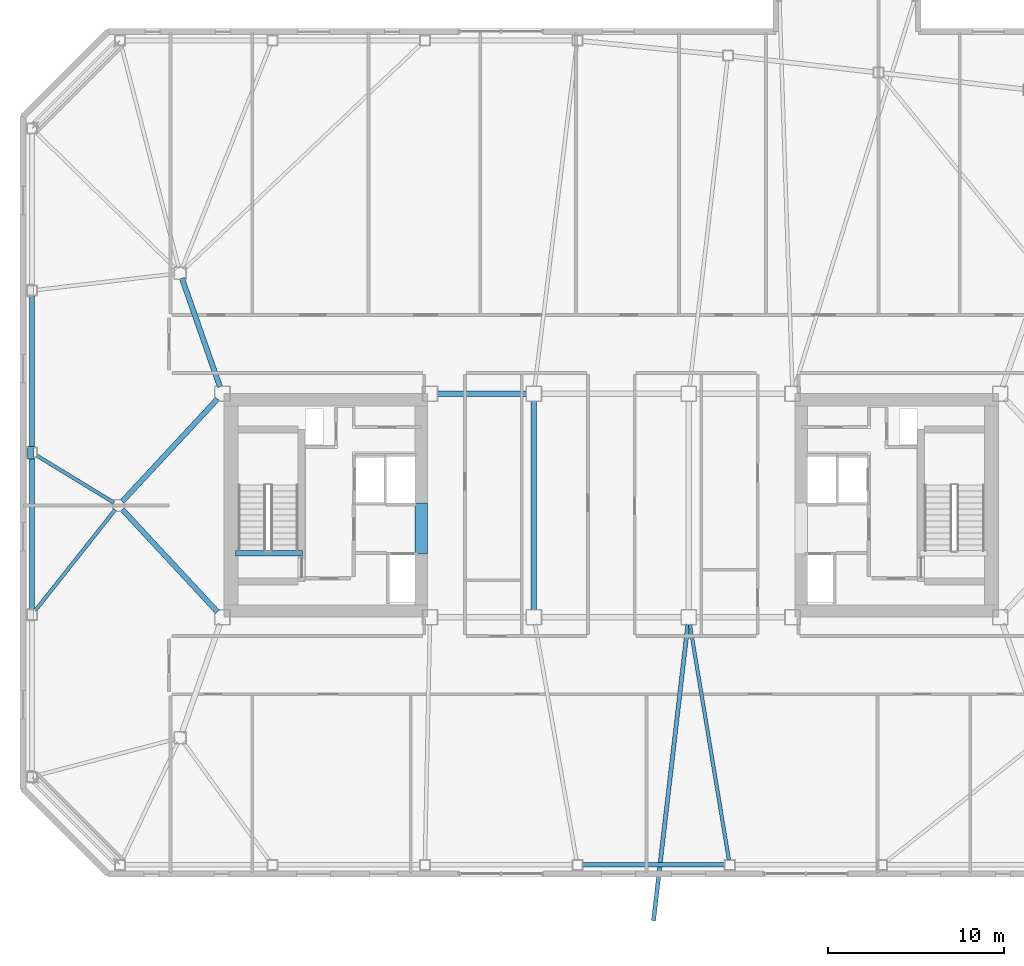
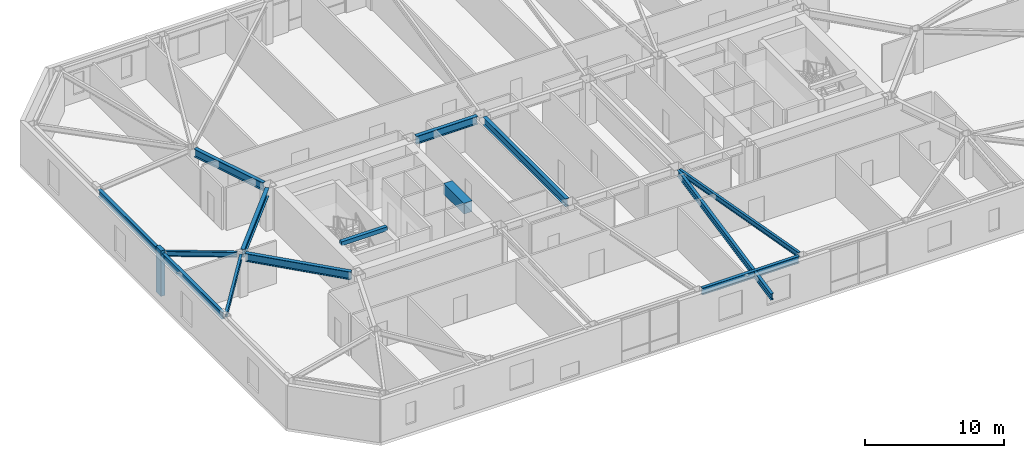
# One storey, part 5 of 18: 14 beams, 1 member.
"""IFC4 building model written with IfcOpenShell, lengths in metres."""

from ifc_helpers import new_model, si_unit, direction, frame, origin, origin_2d, place, context, subcontext, project, spatial, rectangle, i_section, extrude, material, material_profile, profile_set, type_object, element, save


model = new_model("IFC4")

# Units and contexts
model_context = context("Model", 3, precision=1e-05, world=origin(), true_north=direction((0.0, 1.0)))
body_context = subcontext(model_context, "Body", "Model", "MODEL_VIEW")
ifc_project = project(units=[si_unit("LENGTHUNIT", "METRE"), si_unit("AREAUNIT", "SQUARE_METRE"), si_unit("VOLUMEUNIT", "CUBIC_METRE"), si_unit("PLANEANGLEUNIT", "RADIAN"), si_unit("MASSUNIT", "GRAM", prefix="KILO")], contexts=[model_context])

# Site, building, storey
site_placement = place(None, origin())
site = spatial("IfcSite", under=ifc_project, at=site_placement, CompositionType="ELEMENT")
building_placement = place(site_placement, origin())
building = spatial("IfcBuilding", under=site, at=building_placement, Name="Tavrogorsk Clinical Tower", CompositionType="ELEMENT")
storey_placement = place(building_placement, frame((0.0, 0.0, 184.199951171875)))
storey = spatial("IfcBuildingStorey", under=building, at=storey_placement, Name="L42", CompositionType="ELEMENT", Elevation=184.199951171875)

# Beams
ifc_material_1 = material(Name="Concrete B80", Category="concrete")
ifc_material_profile_1 = material_profile(ifc_material_1, rectangle(XDim=0.699951171875, YDim=0.949951171875, at=origin_2d()), Name="RC-CB-700x950")
ifc_profile_set_1 = profile_set([ifc_material_profile_1], Name="Concrete B80")
beam_type_1 = type_object("IfcBeamType", Name="CouplingBeam_RC700x950", PredefinedType="LINTEL", material=ifc_profile_set_1)
beam_1_placement = place(storey_placement, frame((-10.800048828125, -2.75, 3.26513671875), z_axis=(0.0, 1.0, 0.0), x_axis=(-1.0, 0.0, 0.0)))
element("IfcBeam", 1, at=beam_1_placement, inside=storey, type_object=beam_type_1, Name="L42 Core West Coupling Beam", PredefinedType="LINTEL", context=body_context, shape_type="SweptSolid", body=[
    extrude(rectangle(XDim=0.699951171875, YDim=0.949951171875, at=origin_2d()), origin(), (0.0, 0.0, 1.0), 2.89990234375),
])
ifc_material_2 = material(Name="Structural steel S355", Category="steel")
ifc_material_profile_2 = material_profile(ifc_material_2, i_section(OverallWidth=0.199951171875, OverallDepth=0.449951171875, WebThickness=0.011474609375, FlangeThickness=0.01806640625, at=origin_2d()), Name="B-450x200x11.5x18")
ifc_profile_set_2 = profile_set([ifc_material_profile_2], Name="Structural steel S355")
beam_type_2 = type_object("IfcBeamType", Name="FloorBeam_B450", PredefinedType="BEAM", material=ifc_profile_set_2)
beam_2_placement = place(storey_placement, frame((4.467041015625, -6.75439453125, 3.51513671875), z_axis=(0.16347521907, -0.986547440699, 0.0), x_axis=(0.986547440699, 0.16347521907, 0.0)))
element("IfcBeam", 2, at=beam_2_placement, inside=storey, type_object=beam_type_2, Name="L42 Radial Floor Beam S5", PredefinedType="BEAM", context=body_context, shape_type="SweptSolid", body=[
    extrude(i_section(OverallWidth=0.199951171875, OverallDepth=0.449951171875, WebThickness=0.011474609375, FlangeThickness=0.01806640625, at=origin_2d()), origin(), (0.0, 0.0, 1.0), 13.5439453125),
])
beam_3_placement = place(storey_placement, frame((-28.2646484375, 0.161376953125, 3.51513671875), z_axis=(-0.853798748257, 0.520603205402, 0.0), x_axis=(-0.520603205402, -0.853798748257, 0.0)))
element("IfcBeam", 3, at=beam_3_placement, inside=storey, type_object=beam_type_2, Name="L42 Radial Floor Beam W3", PredefinedType="BEAM", context=body_context, shape_type="SweptSolid", body=[
    extrude(i_section(OverallWidth=0.199951171875, OverallDepth=0.449951171875, WebThickness=0.011474609375, FlangeThickness=0.01806640625, at=origin_2d()), origin(), (0.0, 0.0, 1.0), 5.14453125),
])
beam_4_placement = place(storey_placement, frame((-28.192626953125, -0.242919921875, 3.51513671875), z_axis=(-0.620987118336, -0.783820769603, 0.0), x_axis=(0.783820769603, -0.620987118336, 0.0)))
element("IfcBeam", 4, at=beam_4_placement, inside=storey, type_object=beam_type_2, Name="L42 Radial Floor Beam W4", PredefinedType="BEAM", context=body_context, shape_type="SweptSolid", body=[
    extrude(i_section(OverallWidth=0.199951171875, OverallDepth=0.449951171875, WebThickness=0.011474609375, FlangeThickness=0.01806640625, at=origin_2d()), origin(), (0.0, 0.0, 1.0), 7.3046875),
])

# Member
ifc_material_3 = material(Name="Precast concrete B45 with limestone cladding", Category="masonry")
ifc_material_profile_3 = material_profile(ifc_material_3, rectangle(XDim=0.320068359375, YDim=0.719970703125, at=origin_2d()), Name="LIMESTONE-FIN-320x720")
ifc_profile_set_3 = profile_set([ifc_material_profile_3], Name="Precast concrete B45 with limestone cladding")
member_type = type_object("IfcMemberType", Name="LimestonePleatFin_320x720", PredefinedType="USERDEFINED", material=ifc_profile_set_3)
member_placement = place(storey_placement, frame((-33.0, 3.0, 0.0), z_axis=(0.0, 0.0, 1.0), x_axis=(1.0, 0.0, 0.0)))
element("IfcMember", 5, at=member_placement, inside=storey, type_object=member_type, Name="L42 W Pleated Stone Fin 2", ObjectType="FIN", PredefinedType="USERDEFINED", context=body_context, shape_type="SweptSolid", body=[
    extrude(rectangle(XDim=0.320068359375, YDim=0.719970703125, at=origin_2d()), origin(), (0.0, 0.0, 1.0), 4.0),
])

# Beams
ifc_material_4 = material(Name="Structural steel S390", Category="steel")
ifc_material_profile_4 = material_profile(ifc_material_4, i_section(OverallWidth=0.300048828125, OverallDepth=0.699951171875, WebThickness=0.01708984375, FlangeThickness=0.028076171875, at=origin_2d()), Name="B-700x300x17x28")
ifc_profile_set_4 = profile_set([ifc_material_profile_4], Name="Structural steel S390")
beam_type_3 = type_object("IfcBeamType", Name="PrimaryGirder_B700", PredefinedType="USERDEFINED", material=ifc_profile_set_4)
beam_5_placement = place(storey_placement, frame((-9.889892578125, 6.35009765625, 3.39013671875), z_axis=(1.0, 0.0, 0.0), x_axis=(0.0, 1.0, 0.0)))
element("IfcBeam", 6, at=beam_5_placement, inside=storey, type_object=beam_type_3, Name="L42 Primary Spine Girder MG-02", ObjectType="GIRDER", PredefinedType="USERDEFINED", context=body_context, shape_type="SweptSolid", body=[
    extrude(i_section(OverallWidth=0.300048828125, OverallDepth=0.699951171875, WebThickness=0.01708984375, FlangeThickness=0.028076171875, at=origin_2d()), origin(), (0.0, 0.0, 1.0), 5.079833984375),
])
beam_6_placement = place(storey_placement, frame((-4.39990234375, -5.93994140625, 3.39013671875), z_axis=(0.0, 1.0, 0.0), x_axis=(-1.0, 0.0, 0.0)))
element("IfcBeam", 7, at=beam_6_placement, inside=storey, type_object=beam_type_3, Name="L42 Primary Spine Girder MG-07", ObjectType="GIRDER", PredefinedType="USERDEFINED", context=body_context, shape_type="SweptSolid", body=[
    extrude(i_section(OverallWidth=0.300048828125, OverallDepth=0.699951171875, WebThickness=0.01708984375, FlangeThickness=0.028076171875, at=origin_2d()), origin(), (0.0, 0.0, 1.0), 11.8798828125),
])
beam_7_placement = place(storey_placement, frame((-24.3974609375, 12.907470703125, 3.39013671875), z_axis=(0.33065312634, -0.94375235631, 0.0), x_axis=(0.94375235631, 0.33065312634, 0.0)))
element("IfcBeam", 8, at=beam_7_placement, inside=storey, type_object=beam_type_3, Name="L42 Spine Link Girder OPG-3", ObjectType="GIRDER", PredefinedType="USERDEFINED", context=body_context, shape_type="SweptSolid", body=[
    extrude(i_section(OverallWidth=0.300048828125, OverallDepth=0.699951171875, WebThickness=0.01708984375, FlangeThickness=0.028076171875, at=origin_2d()), origin(), (0.0, 0.0, 1.0), 6.5380859375),
])
for number, where, z_axis, x_axis, name in (
    (9, (-27.7890625, -0.22705078125, 3.39013671875), (0.680673750312, -0.732586681312, 0.0), (0.732586681312, 0.680673750312, 0.0), "L42 Spine Link Girder OPG-5"),
    (10, (-27.7890625, 0.22705078125, 3.39013671875), (0.680673750312, 0.732586681312, 0.0), (-0.732586681312, 0.680673750312, 0.0), "L42 Spine Link Girder OPG-6"),
):
    element("IfcBeam", number, at=place(storey_placement, frame(where, z_axis=z_axis, x_axis=x_axis)), inside=storey, type_object=beam_type_3, Name=name, ObjectType="GIRDER", PredefinedType="USERDEFINED", context=body_context, shape_type="SweptSolid", body=[
        extrude(i_section(OverallWidth=0.300048828125, OverallDepth=0.699951171875, WebThickness=0.01708984375, FlangeThickness=0.028076171875, at=origin_2d()), origin(), (0.0, 0.0, 1.0), 7.947998046875),
    ])
ifc_material_5 = material(Name="Structural steel S390", Category="steel")
ifc_material_profile_5 = material_profile(ifc_material_5, i_section(OverallWidth=0.239990234375, OverallDepth=0.550048828125, WebThickness=0.013916015625, FlangeThickness=0.02197265625, at=origin_2d()), Name="B-550x240x14x22")
ifc_profile_set_5 = profile_set([ifc_material_profile_5], Name="Structural steel S390")
beam_type_4 = type_object("IfcBeamType", Name="SpandrelBeam_B550", PredefinedType="SPANDREL", material=ifc_profile_set_5)
beam_8_placement = place(storey_placement, frame((4.352783203125, -6.75732421875, 3.445068359375), z_axis=(-0.1151760797, -0.993345091428, 0.0), x_axis=(0.993345091428, -0.1151760797, 0.0)))
element("IfcBeam", 11, at=beam_8_placement, inside=storey, type_object=beam_type_4, Name="L43 Spiral Terrace Cantilever Beam 2", PredefinedType="SPANDREL", context=body_context, shape_type="SweptSolid", body=[
    extrude(i_section(OverallWidth=0.239990234375, OverallDepth=0.550048828125, WebThickness=0.013916015625, FlangeThickness=0.02197265625, at=origin_2d()), origin(), (0.0, 0.0, 1.0), 16.95556640625),
])
ifc_material_6 = material(Name="Structural steel S390", Category="steel")
ifc_material_profile_6 = material_profile(ifc_material_6, i_section(OverallWidth=0.260009765625, OverallDepth=0.60009765625, WebThickness=0.014892578125, FlangeThickness=0.02392578125, at=origin_2d()), Name="B-600x260x15x24")
ifc_profile_set_6 = profile_set([ifc_material_profile_6], Name="Structural steel S390")
beam_type_5 = type_object("IfcBeamType", Name="SpandrelBeam_B600", PredefinedType="SPANDREL", material=ifc_profile_set_6)
beam_9_placement = place(storey_placement, frame((-1.623291015625, -20.419921875, 3.43994140625), z_axis=(1.0, 0.0, 0.0), x_axis=(0.0, 1.0, 0.0)))
element("IfcBeam", 12, at=beam_9_placement, inside=storey, type_object=beam_type_5, Name="L42 Perimeter Spandrel S4-S5", PredefinedType="SPANDREL", context=body_context, shape_type="SweptSolid", body=[
    extrude(i_section(OverallWidth=0.260009765625, OverallDepth=0.60009765625, WebThickness=0.014892578125, FlangeThickness=0.02392578125, at=origin_2d()), origin(), (0.0, 0.0, 1.0), 8.046630859375),
])
for number, where, z_axis, x_axis, name in (
    (13, (-32.919921875, 11.902099609375, 3.43994140625), (0.0, -1.0, 0.0), (1.0, 0.0, 0.0), "L42 Perimeter Spandrel W2-W3"),
    (14, (-32.919921875, 2.69189453125, 3.43994140625), (0.0, -1.0, 0.0), (1.0, 0.0, 0.0), "L42 Perimeter Spandrel W3-W4"),
):
    element("IfcBeam", number, at=place(storey_placement, frame(where, z_axis=z_axis, x_axis=x_axis)), inside=storey, type_object=beam_type_5, Name=name, PredefinedType="SPANDREL", context=body_context, shape_type="SweptSolid", body=[
        extrude(i_section(OverallWidth=0.260009765625, OverallDepth=0.60009765625, WebThickness=0.014892578125, FlangeThickness=0.02392578125, at=origin_2d()), origin(), (0.0, 0.0, 1.0), 8.593994140625),
    ])
ifc_material_7 = material(Name="Concrete B60", Category="concrete")
ifc_material_profile_7 = material_profile(ifc_material_7, rectangle(XDim=0.300048828125, YDim=0.35009765625, at=origin_2d()), Name="RC-SHB-300x350")
ifc_profile_set_7 = profile_set([ifc_material_profile_7], Name="Concrete B60")
beam_type_6 = type_object("IfcBeamType", Name="StairHeaderBeam_RC300x350", PredefinedType="BEAM", material=ifc_profile_set_7)
beam_10_placement = place(storey_placement, frame((-21.35009765625, -2.719970703125, 3.824951171875), z_axis=(1.0, 0.0, 0.0), x_axis=(0.0, 1.0, 0.0)))
element("IfcBeam", 15, at=beam_10_placement, inside=storey, type_object=beam_type_6, Name="L43 ST-W Landing Header Beam", PredefinedType="BEAM", context=body_context, shape_type="SweptSolid", body=[
    extrude(rectangle(XDim=0.300048828125, YDim=0.35009765625, at=origin_2d()), origin(), (0.0, 0.0, 1.0), 3.800048828125),
])

save(model, "model.ifc")
